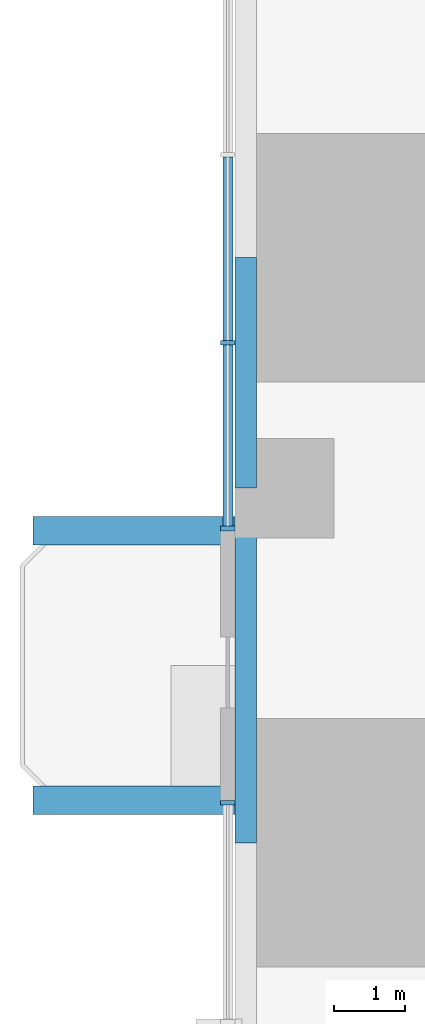
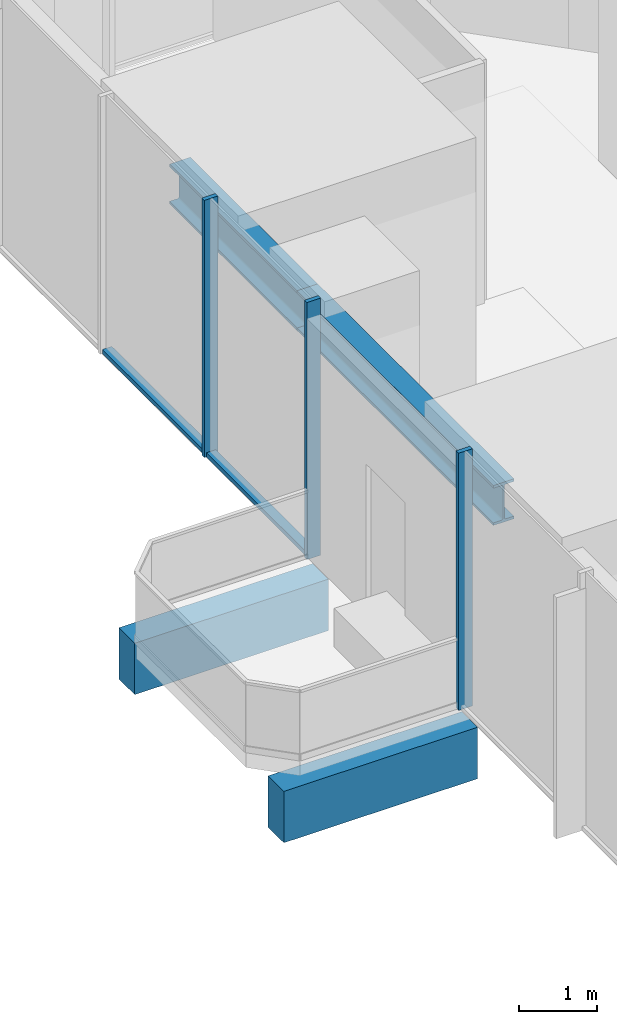
# One storey, part 3 of 15: 5 members, 4 beams, 2 elements without a shape of their own.
"""IFC4 building model written with IfcOpenShell, lengths in metres."""

import ifcopenshell
import ifcopenshell.guid

model = None  # the IFC model being written
_history = None  # IfcOwnerHistory: only IFC2X3 demands one
_inside = {}  # id of a spatial element -> (the spatial element, [elements in it])
_under = {}  # id of a project, library or spatial element -> (it, [spatial elements below it])
_declared = {}  # id of a project -> (the project, [libraries it declares])
_typed = {}  # id of a type object -> (the type object, [elements of that type])
_made_of = {}  # id of a material, layer set ... -> (it, [elements and type objects made of it])


def new_model(schema):
    """Start an empty IFC model of exactly this schema.

    Asked for "IFC4X3", IfcOpenShell would pick the latest addendum, in which some entities
    have other attributes; the version numbers below select the first issue.
    IFC2X3 requires an IfcOwnerHistory on every rooted entity: one is made here for all.
    """
    global model, _history
    if schema == "IFC4X3":
        model = ifcopenshell.file(schema_version=(4, 3, 0, 0))
    else:
        model = ifcopenshell.file(schema=schema)
    _inside.clear()
    _under.clear()
    _declared.clear()
    _typed.clear()
    _made_of.clear()
    _history = None
    if model.schema == "IFC2X3":
        org = make("IfcOrganization", Name="unknown")
        user = make(
            "IfcPersonAndOrganization",
            ThePerson=make("IfcPerson", FamilyName="unknown"),
            TheOrganization=org,
        )
        app = make(
            "IfcApplication",
            ApplicationDeveloper=org,
            Version="unknown",
            ApplicationFullName="unknown",
            ApplicationIdentifier="unknown",
        )
        _history = make(
            "IfcOwnerHistory",
            OwningUser=user,
            OwningApplication=app,
            ChangeAction="ADDED",
            CreationDate=0,
        )
    return model


def make(cls, **values):
    """One entity of the class cls with the attributes given. An attribute that is None is left unset."""
    return model.create_entity(
        cls, **{name: value for name, value in values.items() if value is not None}
    )


def rooted(cls, **values):
    """An entity with a GlobalId (a new one), such as an element, a storey or a relation."""
    return make(cls, GlobalId=ifcopenshell.guid.new(), OwnerHistory=_history, **values)


def si_unit(unit_type, name, prefix=None):
    """IfcSIUnit, for example si_unit("LENGTHUNIT", "METRE", prefix="MILLI")."""
    return make("IfcSIUnit", UnitType=unit_type, Prefix=prefix, Name=name)


def assignment(units):
    """IfcUnitAssignment: the units of a project."""
    return None if units is None else make("IfcUnitAssignment", Units=units)


def point(xyz):
    """IfcCartesianPoint."""
    return None if xyz is None else make("IfcCartesianPoint", Coordinates=xyz)


def direction(xyz):
    """IfcDirection."""
    return None if xyz is None else make("IfcDirection", DirectionRatios=xyz)


def frame(location, z_axis=None, x_axis=None):
    """IfcAxis2Placement3D, a coordinate frame: its origin and axes. An axis left out is left unset."""
    return make(
        "IfcAxis2Placement3D",
        Location=point(location),
        Axis=direction(z_axis),
        RefDirection=direction(x_axis),
    )


def frame_2d(location, x_axis=None):
    """IfcAxis2Placement2D, a coordinate frame in the plane: its origin and x axis."""
    return make(
        "IfcAxis2Placement2D", Location=point(location), RefDirection=direction(x_axis)
    )


def origin():
    """The frame at (0, 0, 0) with its axes left unset."""
    return frame((0.0, 0.0, 0.0))


def origin_2d():
    """The frame at (0, 0) in the plane with its x axis left unset."""
    return frame_2d((0.0, 0.0))


def place(relative_to, where):
    """IfcLocalPlacement: puts the frame where relative to a parent placement (None: the world)."""
    return make(
        "IfcLocalPlacement", PlacementRelTo=relative_to, RelativePlacement=where
    )


def context(
    kind, dimensions, precision=None, world=None, true_north=None, identifier=None
):
    """IfcGeometricRepresentationContext, for example the 3D "Model" context."""
    return make(
        "IfcGeometricRepresentationContext",
        ContextIdentifier=identifier,
        ContextType=kind,
        CoordinateSpaceDimension=dimensions,
        Precision=precision,
        WorldCoordinateSystem=world,
        TrueNorth=true_north,
    )


def subcontext(parent, identifier, kind, view, scale=None):
    """IfcGeometricRepresentationSubContext, for example "Body" below "Model"."""
    return make(
        "IfcGeometricRepresentationSubContext",
        ContextIdentifier=identifier,
        ContextType=kind,
        ParentContext=parent,
        TargetScale=scale,
        TargetView=view,
    )


def project(units=None, contexts=None):
    """IfcProject with its units and contexts."""
    return rooted(
        "IfcProject",
        Name="project",
        RepresentationContexts=contexts,
        UnitsInContext=assignment(units),
    )


def spatial(cls, under=None, at=None, **own):
    """A site, building, storey or space (cls), placed at a placement, below another one or the project."""
    s = rooted(cls, ObjectPlacement=at, **own)
    if under is not None:
        _under.setdefault(under.id(), (under, []))[1].append(s)
    return s


def profile(cls, at=None, kind="AREA", **sizes):
    """A parametric profile (cls). Its sizes go by their IFC names, for example OverallWidth=200.0."""
    return make(cls, ProfileType=kind, Position=at, **sizes)


def rectangle(**sizes):
    """IfcRectangleProfileDef."""
    return profile("IfcRectangleProfileDef", **sizes)


def i_section(**sizes):
    """IfcIShapeProfileDef."""
    return profile("IfcIShapeProfileDef", **sizes)


def extrude(swept, where, along, depth):
    """IfcExtrudedAreaSolid: the profile swept, set in the frame where, extruded along a direction by depth."""
    return make(
        "IfcExtrudedAreaSolid",
        SweptArea=swept,
        Position=where,
        ExtrudedDirection=direction(along),
        Depth=depth,
    )


def shape(context_of_items, identifier, shape_type, items):
    """IfcShapeRepresentation: the items that make up one representation, for example the "Body"."""
    return make(
        "IfcShapeRepresentation",
        ContextOfItems=context_of_items,
        RepresentationIdentifier=identifier,
        RepresentationType=shape_type,
        Items=items,
    )


def material(Name=None, Category=None):
    """IfcMaterial."""
    return make("IfcMaterial", Name=Name, Category=Category)


def material_profile(
    of_material, cross_section, Name=None, Category=None, Priority=None
):
    """IfcMaterialProfile: a cross section and its material."""
    return make(
        "IfcMaterialProfile",
        Name=Name,
        Material=of_material,
        Profile=cross_section,
        Priority=Priority,
        Category=Category,
    )


def profile_set(profiles, Name=None, composite=None):
    """IfcMaterialProfileSet."""
    return make(
        "IfcMaterialProfileSet",
        Name=Name,
        MaterialProfiles=profiles,
        CompositeProfile=composite,
    )


def made_of(thing, what):
    """Note that an element or type object is made of a material, layer set ...; save() writes the relation."""
    if what is not None:
        _made_of.setdefault(what.id(), (what, []))[1].append(thing)
    return thing


def type_object(cls, material=None, **own):
    """A type object (cls), such as IfcWallType, which elements share."""
    return made_of(rooted(cls, **own), material)


def element(
    cls,
    number,
    at=None,
    inside=None,
    cuts=None,
    type_object=None,
    material=None,
    context=None,
    identifier="Body",
    shape_type=None,
    held_by="IfcProductDefinitionShape",
    body=None,
    shapes=None,
    **own,
):
    """One element of the class cls, such as IfcWall. Its Tag is "e" and its number.

    at: its placement. inside: the storey or other place that contains it. cuts: it is an
    opening in that element (IfcRelVoidsElement). A single representation is given by context,
    identifier, shape_type and body (its items); several are given by shapes. held_by: the class
    of the entity that holds the representations. save() writes the other relations.
    """
    e = rooted(cls, Tag="e%d" % number, ObjectPlacement=at, **own)
    if body is not None:
        shapes = [shape(context, identifier, shape_type, body)]
    if shapes is not None:
        e.Representation = make(held_by, Representations=shapes)
    if inside is not None:
        _inside.setdefault(inside.id(), (inside, []))[1].append(e)
    if cuts is not None:
        rooted(
            "IfcRelVoidsElement", RelatingBuildingElement=cuts, RelatedOpeningElement=e
        )
    if type_object is not None:
        _typed.setdefault(type_object.id(), (type_object, []))[1].append(e)
    return made_of(e, material)


def aggregate(whole, parts):
    """IfcRelAggregates: a whole, such as a stair, and the parts it consists of."""
    return rooted("IfcRelAggregates", RelatingObject=whole, RelatedObjects=parts)


def save(model, path):
    """Write the relations noted so far, then the file.

    IfcRelAggregates (storeys below a building ...), IfcRelContainedInSpatialStructure (elements
    in a storey), IfcRelDefinesByType, IfcRelAssociatesMaterial and IfcRelDeclares: one each for
    every whole, place, type object, material and project.
    """
    for whole, parts in _under.values():
        aggregate(whole, parts)
    for where, things in _inside.values():
        rooted(
            "IfcRelContainedInSpatialStructure",
            RelatedElements=things,
            RelatingStructure=where,
        )
    for kind, things in _typed.values():
        rooted("IfcRelDefinesByType", RelatedObjects=things, RelatingType=kind)
    for what, things in _made_of.values():
        rooted("IfcRelAssociatesMaterial", RelatedObjects=things, RelatingMaterial=what)
    for by, libraries in _declared.values():
        rooted("IfcRelDeclares", RelatingContext=by, RelatedDefinitions=libraries)
    model.write(path)


model = new_model("IFC4")

# Units and contexts
model_context = context("Model", 3, precision=1e-05, world=origin(), true_north=direction((0.0, 1.0)))
body_context = subcontext(model_context, "Body", "Model", "MODEL_VIEW")
ifc_project = project(units=[si_unit("LENGTHUNIT", "METRE"), si_unit("AREAUNIT", "SQUARE_METRE"), si_unit("VOLUMEUNIT", "CUBIC_METRE"), si_unit("PLANEANGLEUNIT", "RADIAN"), si_unit("MASSUNIT", "GRAM", prefix="KILO")], contexts=[model_context])

# Site, building, storey
site_placement = place(None, origin())
site = spatial("IfcSite", under=ifc_project, at=site_placement, CompositionType="ELEMENT")
building_placement = place(site_placement, origin())
building = spatial("IfcBuilding", under=site, at=building_placement, Name="Svetlomir Tower", CompositionType="ELEMENT")
storey_placement = place(building_placement, frame((0.0, 0.0, 34.5)))
storey = spatial("IfcBuildingStorey", under=building, at=storey_placement, Name="L07", CompositionType="ELEMENT", Elevation=34.5)

# Beams
ifc_material_1 = material(Name="Concrete C60/75", Category="concrete")
ifc_material_profile_1 = material_profile(ifc_material_1, rectangle(XDim=0.39990234375, YDim=0.800048828125, at=origin_2d()), Name="RC 400x800")
ifc_profile_set_1 = profile_set([ifc_material_profile_1], Name="Concrete C60/75")
beam_type_1 = type_object("IfcBeamType", Name="BALCONY RIB RC 400x800", PredefinedType="BEAM", material=ifc_profile_set_1)
for number, where, z_axis, x_axis, name in (
    (1, (0.0, 21.60009765625, -0.64990234375), (-1.0, 0.0, 0.0), (0.0, -1.0, 0.0), "Balcony rib W 1 L07"),
    (2, (0.0, 25.39990234375, -0.64990234375), (-1.0, 0.0, 0.0), (0.0, -1.0, 0.0), "Balcony rib W 2 L07"),
):
    element("IfcBeam", number, at=place(storey_placement, frame(where, z_axis=z_axis, x_axis=x_axis)), inside=storey, type_object=beam_type_1, Name=name, PredefinedType="BEAM", context=body_context, shape_type="SweptSolid", body=[
        extrude(rectangle(XDim=0.39990234375, YDim=0.800048828125, at=origin_2d()), origin(), (0.0, 0.0, 1.0), 2.85009765625),
    ])

# Curtain wall, members
ifc_material_2 = material(Name="Bronze anodised aluminium curtain wall", Category="aluminium")
curtain_wall_type = type_object("IfcCurtainWallType", Name="CURTAIN WALL CW1 TOWER OFFICE", PredefinedType="NOTDEFINED", material=ifc_material_2)
curtain_wall_1_placement = place(storey_placement, origin())
curtain_wall_1 = element("IfcCurtainWall", 3, at=curtain_wall_1_placement, inside=storey, type_object=curtain_wall_type, Name="Curtain wall CW1 L07", PredefinedType="NOTDEFINED")
ifc_material_3 = material(Name="Bronze anodised aluminium", Category="aluminium")
ifc_material_profile_2 = material_profile(ifc_material_3, rectangle(XDim=0.06494140625, YDim=0.199951171875, at=origin_2d()), Name="AL 65x200")
ifc_profile_set_2 = profile_set([ifc_material_profile_2], Name="Bronze anodised aluminium 6063-T6")
member_type_1 = type_object("IfcMemberType", Name="CW1 MULLION 65x200", PredefinedType="MULLION", material=ifc_profile_set_2)
member_1_placement = place(storey_placement, frame((-0.10009765625, 28.050048828125, 0.0), z_axis=(0.0, 0.0, 1.0), x_axis=(0.0, -1.0, 0.0)))
member_1 = element("IfcMember", 4, at=member_1_placement, type_object=member_type_1, Name="CW1 mullion 4", PredefinedType="MULLION", context=body_context, shape_type="SweptSolid", body=[
    extrude(rectangle(XDim=0.06494140625, YDim=0.199951171875, at=origin_2d()), origin(), (0.0, 0.0, 1.0), 4.0),
])
member_2_placement = place(storey_placement, frame((-0.10009765625, 25.4326171875, 0.0), z_axis=(0.0, 0.0, 1.0), x_axis=(0.0, -1.0, 0.0)))
member_2 = element("IfcMember", 5, at=member_2_placement, type_object=member_type_1, Name="CW1 mullion 5", PredefinedType="MULLION", context=body_context, shape_type="SweptSolid", body=[
    extrude(rectangle(XDim=0.06494140625, YDim=0.199951171875, at=origin_2d()), origin(), (0.0, 0.0, 1.0), 4.0),
])

# Curtain wall, member
curtain_wall_2_placement = place(storey_placement, origin())
curtain_wall_2 = element("IfcCurtainWall", 6, at=curtain_wall_2_placement, inside=storey, type_object=curtain_wall_type, Name="Curtain wall CW1 L07", PredefinedType="NOTDEFINED")
member_3_placement = place(storey_placement, frame((-0.10009765625, 21.5673828125, 0.0), z_axis=(0.0, 0.0, 1.0), x_axis=(0.0, -1.0, 0.0)))
member_3 = element("IfcMember", 7, at=member_3_placement, type_object=member_type_1, Name="CW1 mullion 1", PredefinedType="MULLION", context=body_context, shape_type="SweptSolid", body=[
    extrude(rectangle(XDim=0.06494140625, YDim=0.199951171875, at=origin_2d()), origin(), (0.0, 0.0, 1.0), 4.0),
])
aggregate(curtain_wall_2, [member_3])

# Member
ifc_material_4 = material(Name="Bronze anodised aluminium", Category="aluminium")
ifc_material_profile_3 = material_profile(ifc_material_4, rectangle(XDim=0.139892578125, YDim=0.06494140625, at=origin_2d()), Name="AL 140x65")
ifc_profile_set_3 = profile_set([ifc_material_profile_3], Name="Bronze anodised aluminium 6063-T6")
member_type_2 = type_object("IfcMemberType", Name="CW1 TRANSOM 65x140", PredefinedType="USERDEFINED", material=ifc_profile_set_3)
member_4_placement = place(storey_placement, frame((-0.10009765625, 30.66748046875, 0.032470703125), z_axis=(0.0, -1.0, 0.0), x_axis=(1.0, 0.0, 0.0)))
member_4 = element("IfcMember", 8, at=member_4_placement, type_object=member_type_2, Name="CW1 transom 3.1", ObjectType="TRANSOM", PredefinedType="USERDEFINED", context=body_context, shape_type="SweptSolid", body=[
    extrude(rectangle(XDim=0.139892578125, YDim=0.06494140625, at=origin_2d()), origin(), (0.0, 0.0, 1.0), 2.5849609375),
])

member_5_placement = place(storey_placement, frame((-0.10009765625, 28.017578125, 0.032470703125), z_axis=(0.0, -1.0, 0.0), x_axis=(1.0, 0.0, 0.0)))
member_5 = element("IfcMember", 9, at=member_5_placement, type_object=member_type_2, Name="CW1 transom 4.1", ObjectType="TRANSOM", PredefinedType="USERDEFINED", context=body_context, shape_type="SweptSolid", body=[
    extrude(rectangle(XDim=0.139892578125, YDim=0.06494140625, at=origin_2d()), origin(), (0.0, 0.0, 1.0), 2.552490234375),
])

aggregate(curtain_wall_1, [member_1, member_2, member_4, member_5])

# Beams
ifc_material_5 = material(Name="Steel S355", Category="steel")
ifc_material_profile_4 = material_profile(ifc_material_5, i_section(OverallWidth=0.304931640625, OverallDepth=0.6201171875, WebThickness=0.02099609375, FlangeThickness=0.0400390625, FilletRadius=0.027099609375, at=origin_2d()), Name="HEM 600")
ifc_profile_set_4 = profile_set([ifc_material_profile_4], Name="Steel S355")
beam_type_2 = type_object("IfcBeamType", Name="EDGE BEAM HEM 600", PredefinedType="SPANDREL", material=ifc_profile_set_4)
beam_1_placement = place(storey_placement, frame((0.152587890625, 21.0, 3.43994140625), z_axis=(0.0, 1.0, 0.0), x_axis=(-1.0, 0.0, 0.0)))
element("IfcBeam", 10, at=beam_1_placement, inside=storey, type_object=beam_type_2, Name="Edge beam 0/21 to 0/26 under L08", PredefinedType="SPANDREL", context=body_context, shape_type="SweptSolid", body=[
    extrude(i_section(OverallWidth=0.304931640625, OverallDepth=0.6201171875, WebThickness=0.02099609375, FlangeThickness=0.0400390625, FilletRadius=0.027099609375, at=origin_2d()), origin(), (0.0, 0.0, 1.0), 5.0),
])
beam_2_placement = place(storey_placement, frame((0.152587890625, 26.0, 3.43994140625), z_axis=(0.0, 1.0, 0.0), x_axis=(-1.0, 0.0, 0.0)))
element("IfcBeam", 11, at=beam_2_placement, inside=storey, type_object=beam_type_2, Name="Edge beam 0/26 to 0/31 under L08", PredefinedType="SPANDREL", context=body_context, shape_type="SweptSolid", body=[
    extrude(i_section(OverallWidth=0.304931640625, OverallDepth=0.6201171875, WebThickness=0.02099609375, FlangeThickness=0.0400390625, FilletRadius=0.027099609375, at=origin_2d()), origin(), (0.0, 0.0, 1.0), 3.25),
])

save(model, "model.ifc")
